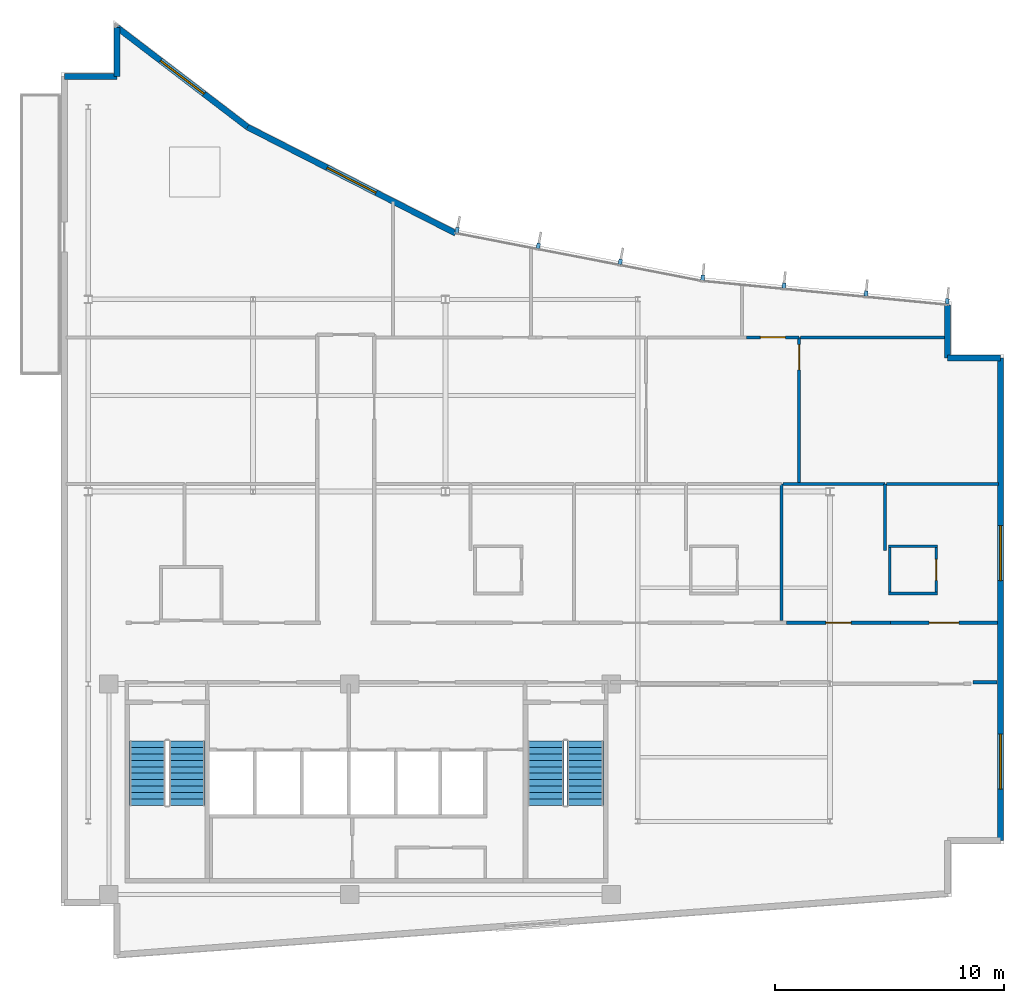
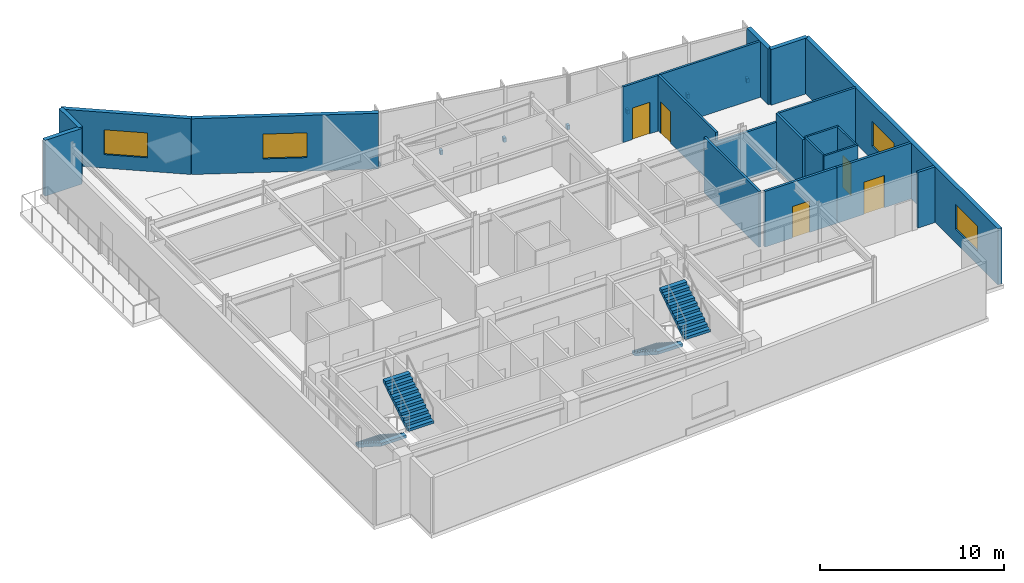
# One storey, part 12 of 15: 21 walls, 7 discrete accessories, 5 doors, 4 stair flights, 4 windows, 9 openings, 2 elements without a shape of their own.
"""IFC4 building model written with IfcOpenShell, lengths in metres."""

from ifc_helpers import new_model, si_unit, direction, frame, frame_2d, origin, origin_2d, place, context, subcontext, project, spatial, polyline, rectangle, outline, extrude, material, layer, layer_set, type_object, element, fill, aggregate, save


model = new_model("IFC4")

# Units and contexts
model_context = context("Model", 3, precision=1e-05, world=origin(), true_north=direction((0.0, 1.0)))
body_context = subcontext(model_context, "Body", "Model", "MODEL_VIEW")
ifc_project = project(units=[si_unit("LENGTHUNIT", "METRE"), si_unit("AREAUNIT", "SQUARE_METRE"), si_unit("VOLUMEUNIT", "CUBIC_METRE"), si_unit("PLANEANGLEUNIT", "RADIAN"), si_unit("MASSUNIT", "GRAM", prefix="KILO")], contexts=[model_context])

# Site, building, storey
site_placement = place(None, origin())
site = spatial("IfcSite", under=ifc_project, at=site_placement, CompositionType="ELEMENT")
building_placement = place(site_placement, origin())
building = spatial("IfcBuilding", under=site, at=building_placement, Name="Varnakote Quay Hospital", CompositionType="ELEMENT")
storey_placement = place(building_placement, frame((0.0, 0.0, 284.199951171875)))
storey = spatial("IfcBuildingStorey", under=building, at=storey_placement, Name="L70", CompositionType="ELEMENT", Elevation=284.199951171875)

# Walls
ifc_material_1 = material(Name="Fire-rated acoustic gypsum stud wall", Category="gypsum")
ifc_layer_1 = layer(ifc_material_1, 0.159912109375)
ifc_layer_set_1 = layer_set([ifc_layer_1], Name="Fire-rated acoustic gypsum stud wall")
wall_type_1 = type_object("IfcWallType", Name="WL-COMP-160", PredefinedType="PARTITIONING", material=ifc_layer_set_1)
wall_1_placement = place(storey_placement, frame((39.83935546875, 12.080078125, 0.0), z_axis=(0.0, 0.0, 1.0), x_axis=(1.0, 0.0, 0.0)))
element("IfcWall", 1, at=wall_1_placement, inside=storey, type_object=wall_type_1, Name="L70 Corridor South Gap Wall", PredefinedType="PARTITIONING", context=body_context, shape_type="SweptSolid", body=[
    extrude(rectangle(XDim=1.060546875, YDim=0.159912109375, at=frame_2d((0.5302734375, 0.0))), origin(), (0.0, 0.0, 1.0), 3.7099609375),
])
ifc_material_2 = material(Name="Moisture-resistant bathroom partition", Category="gypsum")
ifc_layer_2 = layer(ifc_material_2, 0.114990234375)
ifc_layer_set_2 = layer_set([ifc_layer_2], Name="Moisture-resistant bathroom partition")
wall_type_2 = type_object("IfcWallType", Name="WL-ENS-115", PredefinedType="PARTITIONING", material=ifc_layer_set_2)
for number, where, z_axis, x_axis, name in (
    (2, (36.155029296875, 15.952392578125, 0.0), (0.0, 0.0, 1.0), (1.0, 0.0, 0.0), "L70 Inpatient En-Suite Bathroom 03 S Wall"),
    (3, (36.155029296875, 18.017578125, 0.0), (0.0, 0.0, 1.0), (1.0, 0.0, 0.0), "L70 Inpatient En-Suite Bathroom 03 N Wall"),
):
    element("IfcWall", number, at=place(storey_placement, frame(where, z_axis=z_axis, x_axis=x_axis)), inside=storey, type_object=wall_type_2, Name=name, PredefinedType="PARTITIONING", context=body_context, shape_type="SweptSolid", body=[
        extrude(rectangle(XDim=2.14990234375, YDim=0.114990234375, at=frame_2d((1.074951171875, 0.0))), origin(), (0.0, 0.0, 1.0), 3.7099609375),
    ])
wall_2_placement = place(storey_placement, frame((36.21240234375, 16.010009765625, 0.0), z_axis=(0.0, 0.0, 1.0), x_axis=(0.0, 1.0, 0.0)))
element("IfcWall", 4, at=wall_2_placement, inside=storey, type_object=wall_type_2, Name="L70 Inpatient En-Suite Bathroom 03 W Wall", PredefinedType="PARTITIONING", context=body_context, shape_type="SweptSolid", body=[
    extrude(rectangle(XDim=1.949951171875, YDim=0.114990234375, at=frame_2d((0.97509765625, 0.0))), origin(), (0.0, 0.0, 1.0), 3.7099609375),
])

# Wall, opening, door
wall_3_placement = place(storey_placement, frame((38.24755859375, 16.010009765625, 0.0), z_axis=(0.0, 0.0, 1.0), x_axis=(0.0, 1.0, 0.0)))
wall_3 = element("IfcWall", 5, at=wall_3_placement, inside=storey, type_object=wall_type_2, Name="L70 Inpatient En-Suite Bathroom 03 E Wall", PredefinedType="PARTITIONING", context=body_context, shape_type="SweptSolid", body=[
    extrude(rectangle(XDim=1.949951171875, YDim=0.114990234375, at=frame_2d((0.97509765625, 0.0))), origin(), (0.0, 0.0, 1.0), 3.7099609375),
])
opening_1_placement = place(wall_3_placement, frame((0.514892578125, 0.0, 0.0)))
opening_1 = element("IfcOpeningElement", 6, at=opening_1_placement, cuts=wall_3, Name="Opening D-L70-ENS03", PredefinedType="OPENING", context=body_context, shape_type="SweptSolid", body=[
    extrude(rectangle(XDim=0.919921875, YDim=2.10009765625, at=frame_2d((0.4599609375, 1.050048828125))), frame((0.0, 0.0673828125, 0.0), z_axis=(0.0, -1.0, 0.0), x_axis=(1.0, 0.0, 0.0)), (0.0, 0.0, 1.0), 0.135009765625),
])
ifc_material_3 = material(Name="Moisture-sealed en-suite bathroom door")
door_type_1 = type_object("IfcDoorType", Name="DR-ENS-920x2100", OperationType="NOTDEFINED", PredefinedType="DOOR", material=ifc_material_3)
door_1_placement = place(opening_1_placement, origin())
door_1 = element("IfcDoor", 7, at=door_1_placement, inside=storey, type_object=door_type_1, Name="L70 Inpatient En-Suite Bathroom 03 Door", OperationType="SINGLE_SWING_LEFT", OverallHeight=2.10009765625, OverallWidth=0.919921875, PredefinedType="DOOR", context=body_context, shape_type="SweptSolid", body=[
    extrude(rectangle(XDim=0.919921875, YDim=2.10009765625, at=frame_2d((0.4599609375, 1.050048828125))), frame((0.0, 0.02490234375, 0.0), z_axis=(0.0, -1.0, 0.0), x_axis=(1.0, 0.0, 0.0)), (0.0, 0.0, 1.0), 0.050048828125),
])
fill(opening_1, door_1)

# Wall, openings, windows
ifc_material_4 = material(Name="Precast concrete N50 (f'c 50 MPa)", Category="concrete")
ifc_layer_3 = layer(ifc_material_4, 0.260009765625)
ifc_layer_set_3 = layer_set([ifc_layer_3], Name="Precast concrete N50 (f'c 50 MPa)")
wall_type_3 = type_object("IfcWallType", Name="WL-EXT-BRICK-260", PredefinedType="STANDARD", material=ifc_layer_set_3)
wall_4_placement = place(storey_placement, frame((41.0400390625, 5.159912109375, 0.0), z_axis=(0.0, 0.0, 1.0), x_axis=(0.0, 1.0, 0.0)))
wall_4 = element("IfcWall", 8, at=wall_4_placement, inside=storey, type_object=wall_type_3, Name="L70 Brick-Faced Precast Exterior Wall", PredefinedType="STANDARD", context=body_context, shape_type="SweptSolid", body=[
    extrude(rectangle(XDim=21.080078125, YDim=0.260009765625, at=frame_2d((10.5400390625, 0.0))), origin(), (0.0, 0.0, 1.0), 3.7099609375),
])
opening_2_placement = place(wall_4_placement, frame((2.25, 0.0, 0.89990234375)))
opening_2 = element("IfcOpeningElement", 9, at=opening_2_placement, cuts=wall_4, Name="Opening WN-0283", PredefinedType="OPENING", context=body_context, shape_type="SweptSolid", body=[
    extrude(rectangle(XDim=2.39990234375, YDim=1.64990234375, at=frame_2d((1.199951171875, 0.824951171875))), frame((0.0, 0.139892578125, 0.0), z_axis=(0.0, -1.0, 0.0), x_axis=(1.0, 0.0, 0.0)), (0.0, 0.0, 1.0), 0.280029296875),
])
opening_3_placement = place(wall_4_placement, frame((11.35009765625, 0.0, 0.89990234375)))
opening_3 = element("IfcOpeningElement", 10, at=opening_3_placement, cuts=wall_4, Name="Opening WN-0314", PredefinedType="OPENING", context=body_context, shape_type="SweptSolid", body=[
    extrude(rectangle(XDim=2.39990234375, YDim=1.64990234375, at=frame_2d((1.199951171875, 0.824951171875))), frame((0.0, 0.139892578125, 0.0), z_axis=(0.0, -1.0, 0.0), x_axis=(1.0, 0.0, 0.0)), (0.0, 0.0, 1.0), 0.280029296875),
])
ifc_material_5 = material(Name="Double-glazed low-E solar glass", Category="glass")
window_type = type_object("IfcWindowType", Name="WIN-CLIN-2400x1650", PartitioningType="SINGLE_PANEL", PredefinedType="WINDOW", material=ifc_material_5)
window_1_placement = place(opening_2_placement, origin())
window_1 = element("IfcWindow", 11, at=window_1_placement, inside=storey, type_object=window_type, Name="L70 Solar-Control Clinical Window", OverallHeight=1.64990234375, OverallWidth=2.39990234375, PartitioningType="SINGLE_PANEL", PredefinedType="WINDOW", context=body_context, shape_type="SweptSolid", body=[
    extrude(rectangle(XDim=2.39990234375, YDim=1.64990234375, at=frame_2d((1.199951171875, 0.824951171875))), frame((0.0, 0.030029296875, 0.0), z_axis=(0.0, -1.0, 0.0), x_axis=(1.0, 0.0, 0.0)), (0.0, 0.0, 1.0), 0.06005859375),
])
fill(opening_2, window_1)
window_2_placement = place(opening_3_placement, origin())
window_2 = element("IfcWindow", 12, at=window_2_placement, inside=storey, type_object=window_type, Name="L70 Solar-Control Clinical Window", OverallHeight=1.64990234375, OverallWidth=2.39990234375, PartitioningType="SINGLE_PANEL", PredefinedType="WINDOW", context=body_context, shape_type="SweptSolid", body=[
    extrude(rectangle(XDim=2.39990234375, YDim=1.64990234375, at=frame_2d((1.199951171875, 0.824951171875))), frame((0.0, 0.030029296875, 0.0), z_axis=(0.0, -1.0, 0.0), x_axis=(1.0, 0.0, 0.0)), (0.0, 0.0, 1.0), 0.06005859375),
])
fill(opening_3, window_2)

# Walls
wall_5_placement = place(storey_placement, frame((41.0400390625, 26.239990234375, 0.0), z_axis=(0.0, 0.0, 1.0), x_axis=(-1.0, 0.0, 0.0)))
element("IfcWall", 13, at=wall_5_placement, inside=storey, type_object=wall_type_3, Name="L70 Brick-Faced Precast Exterior Wall", PredefinedType="STANDARD", context=body_context, shape_type="SweptSolid", body=[
    extrude(rectangle(XDim=2.300048828125, YDim=0.260009765625, at=frame_2d((1.14990234375, 0.0))), origin(), (0.0, 0.0, 1.0), 3.7099609375),
])
wall_6_placement = place(storey_placement, frame((38.739990234375, 26.239990234375, 0.0), z_axis=(0.0, 0.0, 1.0), x_axis=(0.0, 1.0, 0.0)))
element("IfcWall", 14, at=wall_6_placement, inside=storey, type_object=wall_type_3, Name="L70 Brick-Faced Precast Exterior Wall", PredefinedType="STANDARD", context=body_context, shape_type="SweptSolid", body=[
    extrude(rectangle(XDim=2.314697265625, YDim=0.260009765625, at=frame_2d((1.1572265625, 0.0))), origin(), (0.0, 0.0, 1.0), 3.7099609375),
])

# Wall, opening, window
wall_7_placement = place(storey_placement, frame((17.25146484375, 31.68115234375, 0.0), z_axis=(0.0, 0.0, 1.0), x_axis=(-0.89069629535, 0.454598844532, 0.0)))
wall_7 = element("IfcWall", 15, at=wall_7_placement, inside=storey, type_object=wall_type_3, Name="L70 Brick-Faced Precast Exterior Wall", PredefinedType="STANDARD", context=body_context, shape_type="SweptSolid", body=[
    extrude(rectangle(XDim=10.213623046875, YDim=0.260009765625, at=frame_2d((5.10693359375, 0.0))), origin(), (0.0, 0.0, 1.0), 3.7099609375),
])
opening_4_placement = place(wall_7_placement, frame((3.90673828125, 0.0, 0.89990234375)))
opening_4 = element("IfcOpeningElement", 16, at=opening_4_placement, cuts=wall_7, Name="Opening WN-0284", PredefinedType="OPENING", context=body_context, shape_type="SweptSolid", body=[
    extrude(rectangle(XDim=2.39990234375, YDim=1.64990234375, at=frame_2d((1.199951171875, 0.824951171875))), frame((0.0, 0.139892578125, 0.0), z_axis=(0.0, -1.0, 0.0), x_axis=(1.0, 0.0, 0.0)), (0.0, 0.0, 1.0), 0.280029296875),
])
window_3_placement = place(opening_4_placement, origin())
window_3 = element("IfcWindow", 17, at=window_3_placement, inside=storey, type_object=window_type, Name="L70 Solar-Control Clinical Window", OverallHeight=1.64990234375, OverallWidth=2.39990234375, PartitioningType="SINGLE_PANEL", PredefinedType="WINDOW", context=body_context, shape_type="SweptSolid", body=[
    extrude(rectangle(XDim=2.39990234375, YDim=1.64990234375, at=frame_2d((1.199951171875, 0.824951171875))), frame((0.0, 0.030029296875, 0.0), z_axis=(0.0, -1.0, 0.0), x_axis=(1.0, 0.0, 0.0)), (0.0, 0.0, 1.0), 0.06005859375),
])
fill(opening_4, window_3)

wall_8_placement = place(storey_placement, frame((8.154296875, 36.32421875, 0.0), z_axis=(0.0, 0.0, 1.0), x_axis=(-0.794522176632, 0.607235136368, 0.0)))
wall_8 = element("IfcWall", 18, at=wall_8_placement, inside=storey, type_object=wall_type_3, Name="L70 Brick-Faced Precast Exterior Wall", PredefinedType="STANDARD", context=body_context, shape_type="SweptSolid", body=[
    extrude(rectangle(XDim=7.1669921875, YDim=0.260009765625, at=frame_2d((3.58349609375, 0.0))), origin(), (0.0, 0.0, 1.0), 3.7099609375),
])
opening_5_placement = place(wall_8_placement, frame((2.383544921875, 0.0, 0.89990234375)))
opening_5 = element("IfcOpeningElement", 19, at=opening_5_placement, cuts=wall_8, Name="Opening WN-0285", PredefinedType="OPENING", context=body_context, shape_type="SweptSolid", body=[
    extrude(rectangle(XDim=2.39990234375, YDim=1.64990234375, at=frame_2d((1.199951171875, 0.824951171875))), frame((0.0, 0.139892578125, 0.0), z_axis=(0.0, -1.0, 0.0), x_axis=(1.0, 0.0, 0.0)), (0.0, 0.0, 1.0), 0.280029296875),
])
window_4_placement = place(opening_5_placement, origin())
window_4 = element("IfcWindow", 20, at=window_4_placement, inside=storey, type_object=window_type, Name="L70 Solar-Control Clinical Window", OverallHeight=1.64990234375, OverallWidth=2.39990234375, PartitioningType="SINGLE_PANEL", PredefinedType="WINDOW", context=body_context, shape_type="SweptSolid", body=[
    extrude(rectangle(XDim=2.39990234375, YDim=1.64990234375, at=frame_2d((1.199951171875, 0.824951171875))), frame((0.0, 0.030029296875, 0.0), z_axis=(0.0, -1.0, 0.0), x_axis=(1.0, 0.0, 0.0)), (0.0, 0.0, 1.0), 0.06005859375),
])
fill(opening_5, window_4)

# Walls
wall_9_placement = place(storey_placement, frame((2.4599609375, 40.67626953125, 0.0), z_axis=(0.0, 0.0, 1.0), x_axis=(0.0, -1.0, 0.0)))
element("IfcWall", 21, at=wall_9_placement, inside=storey, type_object=wall_type_3, Name="L70 Brick-Faced Precast Exterior Wall", PredefinedType="STANDARD", context=body_context, shape_type="SweptSolid", body=[
    extrude(rectangle(XDim=2.13623046875, YDim=0.260009765625, at=frame_2d((1.068115234375, 0.0))), origin(), (0.0, 0.0, 1.0), 3.7099609375),
])
wall_10_placement = place(storey_placement, frame((2.4599609375, 38.5400390625, 0.0), z_axis=(0.0, 0.0, 1.0), x_axis=(-1.0, 0.0, 0.0)))
element("IfcWall", 22, at=wall_10_placement, inside=storey, type_object=wall_type_3, Name="L70 Brick-Faced Precast Exterior Wall", PredefinedType="STANDARD", context=body_context, shape_type="SweptSolid", body=[
    extrude(rectangle(XDim=2.300048828125, YDim=0.260009765625, at=frame_2d((1.14990234375, 0.0))), origin(), (0.0, 0.0, 1.0), 3.7099609375),
])
ifc_material_6 = material(Name="Smoke-proof clinical partition", Category="gypsum")
ifc_layer_4 = layer(ifc_material_6, 0.135009765625)
ifc_layer_set_4 = layer_set([ifc_layer_4], Name="Smoke-proof clinical partition")
wall_type_4 = type_object("IfcWallType", Name="WL-SMOKE-135", PredefinedType="PARTITIONING", material=ifc_layer_set_4)
wall_11_placement = place(storey_placement, frame((31.47998046875, 14.760009765625, 0.0), z_axis=(0.0, 0.0, 1.0), x_axis=(0.0, 1.0, 0.0)))
element("IfcWall", 23, at=wall_11_placement, inside=storey, type_object=wall_type_4, Name="L70 Clinical Interior Partition", PredefinedType="PARTITIONING", context=body_context, shape_type="SweptSolid", body=[
    extrude(rectangle(XDim=5.97998046875, YDim=0.135009765625, at=frame_2d((2.989990234375, 0.0))), origin(), (0.0, 0.0, 1.0), 3.7099609375),
])
wall_12_placement = place(storey_placement, frame((36.010009765625, 17.83251953125, 0.0), z_axis=(0.0, 0.0, 1.0), x_axis=(0.0, 1.0, 0.0)))
element("IfcWall", 24, at=wall_12_placement, inside=storey, type_object=wall_type_4, Name="L70 Clinical Interior Partition", PredefinedType="PARTITIONING", context=body_context, shape_type="SweptSolid", body=[
    extrude(rectangle(XDim=2.907470703125, YDim=0.135009765625, at=frame_2d((1.45361328125, 0.0))), origin(), (0.0, 0.0, 1.0), 3.7099609375),
])
wall_13_placement = place(storey_placement, frame((36.010009765625, 20.739990234375, 0.0), z_axis=(0.0, 0.0, 1.0), x_axis=(-1.0, 0.0, 0.0)))
element("IfcWall", 25, at=wall_13_placement, inside=storey, type_object=wall_type_4, Name="L70 Clinical Interior Partition", PredefinedType="PARTITIONING", context=body_context, shape_type="SweptSolid", body=[
    extrude(rectangle(XDim=4.472412109375, YDim=0.135009765625, at=frame_2d((2.236328125, 0.0))), origin(), (0.0, 0.0, 1.0), 3.156982421875),
])
wall_14_placement = place(storey_placement, frame((40.9599609375, 20.739990234375, 0.0), z_axis=(0.0, 0.0, 1.0), x_axis=(-1.0, 0.0, 0.0)))
element("IfcWall", 26, at=wall_14_placement, inside=storey, type_object=wall_type_4, Name="L70 Clinical Interior Partition", PredefinedType="PARTITIONING", context=body_context, shape_type="SweptSolid", body=[
    extrude(rectangle(XDim=4.892578125, YDim=0.135009765625, at=frame_2d((2.4462890625, 0.0))), origin(), (0.0, 0.0, 1.0), 3.7099609375),
])

# Wall, opening, door
wall_15_placement = place(storey_placement, frame((32.25, 20.797607421875, 0.0), z_axis=(0.0, 0.0, 1.0), x_axis=(0.0, 1.0, 0.0)))
wall_15 = element("IfcWall", 27, at=wall_15_placement, inside=storey, type_object=wall_type_4, Name="L70 Clinical Interior Partition", PredefinedType="PARTITIONING", context=body_context, shape_type="SweptSolid", body=[
    extrude(rectangle(XDim=6.34228515625, YDim=0.135009765625, at=frame_2d((3.171142578125, 0.0))), origin(), (0.0, 0.0, 1.0), 3.7099609375),
])
opening_6_placement = place(wall_15_placement, frame((4.92138671875, 0.0, 0.0)))
opening_6 = element("IfcOpeningElement", 28, at=opening_6_placement, cuts=wall_15, Name="Opening D-L70-MD08", PredefinedType="OPENING", context=body_context, shape_type="SweptSolid", body=[
    extrude(rectangle(XDim=1.10009765625, YDim=2.10009765625, at=frame_2d((0.550048828125, 1.050048828125))), frame((0.0, 0.077392578125, 0.0), z_axis=(0.0, -1.0, 0.0), x_axis=(1.0, 0.0, 0.0)), (0.0, 0.0, 1.0), 0.155029296875),
])
ifc_material_7 = material(Name="Acoustic timber clinical consult door", Category="wood")
door_type_2 = type_object("IfcDoorType", Name="DR-CLIN-FD30S-1100x2100", OperationType="NOTDEFINED", PredefinedType="DOOR", material=ifc_material_7)
door_2_placement = place(opening_6_placement, origin())
door_2 = element("IfcDoor", 29, at=door_2_placement, inside=storey, type_object=door_type_2, Name="L70 Rehab Specialist Office Door", OperationType="SINGLE_SWING_RIGHT", OverallHeight=2.10009765625, OverallWidth=1.10009765625, PredefinedType="DOOR", context=body_context, shape_type="SweptSolid", body=[
    extrude(rectangle(XDim=1.10009765625, YDim=2.10009765625, at=frame_2d((0.550048828125, 1.050048828125))), frame((0.0, 0.02490234375, 0.0), z_axis=(0.0, -1.0, 0.0), x_axis=(1.0, 0.0, 0.0)), (0.0, 0.0, 1.0), 0.050048828125),
])
fill(opening_6, door_2)

wall_16_placement = place(storey_placement, frame((32.25, 27.139892578125, 0.0), z_axis=(0.0, 0.0, 1.0), x_axis=(-1.0, 0.0, 0.0)))
wall_16 = element("IfcWall", 30, at=wall_16_placement, inside=storey, type_object=wall_type_4, Name="L70 Clinical Interior Partition", PredefinedType="PARTITIONING", context=body_context, shape_type="SweptSolid", body=[
    extrude(rectangle(XDim=2.29052734375, YDim=0.135009765625, at=frame_2d((1.145263671875, 0.0))), origin(), (0.0, 0.0, 1.0), 3.7099609375),
])
opening_7_placement = place(wall_16_placement, frame((0.59521484375, 0.0, 0.0)))
opening_7 = element("IfcOpeningElement", 31, at=opening_7_placement, cuts=wall_16, Name="Opening D-L70-MD12", PredefinedType="OPENING", context=body_context, shape_type="SweptSolid", body=[
    extrude(rectangle(XDim=1.10009765625, YDim=2.10009765625, at=frame_2d((0.550048828125, 1.050048828125))), frame((0.0, 0.077392578125, 0.0), z_axis=(0.0, -1.0, 0.0), x_axis=(1.0, 0.0, 0.0)), (0.0, 0.0, 1.0), 0.155029296875),
])
door_3_placement = place(opening_7_placement, origin())
door_3 = element("IfcDoor", 32, at=door_3_placement, inside=storey, type_object=door_type_2, Name="L70 Rehab Specialist Office Door", OperationType="SINGLE_SWING_LEFT", OverallHeight=2.10009765625, OverallWidth=1.10009765625, PredefinedType="DOOR", context=body_context, shape_type="SweptSolid", body=[
    extrude(rectangle(XDim=1.10009765625, YDim=2.10009765625, at=frame_2d((0.550048828125, 1.050048828125))), frame((0.0, 0.02490234375, 0.0), z_axis=(0.0, -1.0, 0.0), x_axis=(1.0, 0.0, 0.0)), (0.0, 0.0, 1.0), 0.050048828125),
])
fill(opening_7, door_3)

# Wall
wall_17_placement = place(storey_placement, frame((38.739990234375, 27.139892578125, 0.0), z_axis=(0.0, 0.0, 1.0), x_axis=(-1.0, 0.0, 0.0)))
element("IfcWall", 33, at=wall_17_placement, inside=storey, type_object=wall_type_4, Name="L70 Clinical Interior Partition", PredefinedType="PARTITIONING", context=body_context, shape_type="SweptSolid", body=[
    extrude(rectangle(XDim=6.432373046875, YDim=0.135009765625, at=frame_2d((3.21630859375, 0.0))), origin(), (0.0, 0.0, 1.0), 3.7099609375),
])

# Wall, opening, door
ifc_material_8 = material(Name="Fire-rated clinical gypsum partition", Category="gypsum")
ifc_layer_5 = layer(ifc_material_8, 0.14990234375)
ifc_layer_set_5 = layer_set([ifc_layer_5], Name="Fire-rated clinical gypsum partition")
wall_type_5 = type_object("IfcWallType", Name="WL-WARD-150", PredefinedType="PARTITIONING", material=ifc_layer_set_5)
wall_18_placement = place(storey_placement, frame((36.236083984375, 14.679931640625, 0.0), z_axis=(0.0, 0.0, 1.0), x_axis=(-1.0, 0.0, 0.0)))
wall_18 = element("IfcWall", 34, at=wall_18_placement, inside=storey, type_object=wall_type_5, Name="L70 Clinical Interior Partition", PredefinedType="PARTITIONING", context=body_context, shape_type="SweptSolid", body=[
    extrude(rectangle(XDim=4.528076171875, YDim=0.14990234375, at=frame_2d((2.26416015625, 0.0))), origin(), (0.0, 0.0, 1.0), 3.7099609375),
])
opening_8_placement = place(wall_18_placement, frame((1.714111328125, 0.0, 0.0)))
opening_8 = element("IfcOpeningElement", 35, at=opening_8_placement, cuts=wall_18, Name="Opening D-L70-MD05", PredefinedType="OPENING", context=body_context, shape_type="SweptSolid", body=[
    extrude(rectangle(XDim=1.10009765625, YDim=2.10009765625, at=frame_2d((0.550048828125, 1.050048828125))), frame((0.0, 0.0849609375, 0.0), z_axis=(0.0, -1.0, 0.0), x_axis=(1.0, 0.0, 0.0)), (0.0, 0.0, 1.0), 0.169921875),
])
door_4_placement = place(opening_8_placement, origin())
door_4 = element("IfcDoor", 36, at=door_4_placement, inside=storey, type_object=door_type_2, Name="L70 Restorative Hydro-Rehab Treatment Suite Door", OperationType="SINGLE_SWING_RIGHT", OverallHeight=2.10009765625, OverallWidth=1.10009765625, PredefinedType="DOOR", context=body_context, shape_type="SweptSolid", body=[
    extrude(rectangle(XDim=1.10009765625, YDim=2.10009765625, at=frame_2d((0.550048828125, 1.050048828125))), frame((0.0, 0.02490234375, 0.0), z_axis=(0.0, -1.0, 0.0), x_axis=(1.0, 0.0, 0.0)), (0.0, 0.0, 1.0), 0.050048828125),
])
fill(opening_8, door_4)

wall_19_placement = place(storey_placement, frame((40.919921875, 14.679931640625, 0.0), z_axis=(0.0, 0.0, 1.0), x_axis=(-1.0, 0.0, 0.0)))
wall_19 = element("IfcWall", 37, at=wall_19_placement, inside=storey, type_object=wall_type_5, Name="L70 Clinical Interior Partition", PredefinedType="PARTITIONING", context=body_context, shape_type="SweptSolid", body=[
    extrude(rectangle(XDim=4.681884765625, YDim=0.14990234375, at=frame_2d((2.3408203125, 0.0))), origin(), (0.0, 0.0, 1.0), 3.7099609375),
])
opening_9_placement = place(wall_19_placement, frame((1.69091796875, 0.0, 0.0)))
opening_9 = element("IfcOpeningElement", 38, at=opening_9_placement, cuts=wall_19, Name="Opening D-L70-BR03", PredefinedType="OPENING", context=body_context, shape_type="SweptSolid", body=[
    extrude(rectangle(XDim=1.300048828125, YDim=2.14990234375, at=frame_2d((0.64990234375, 1.074951171875))), frame((0.0, 0.0849609375, 0.0), z_axis=(0.0, -1.0, 0.0), x_axis=(1.0, 0.0, 0.0)), (0.0, 0.0, 1.0), 0.169921875),
])
ifc_material_9 = material(Name="Solid-core timber clinical bed door", Category="wood")
door_type_3 = type_object("IfcDoorType", Name="DR-WARD-FD30S-1300x2150", OperationType="NOTDEFINED", PredefinedType="DOOR", material=ifc_material_9)
door_5_placement = place(opening_9_placement, origin())
door_5 = element("IfcDoor", 39, at=door_5_placement, inside=storey, type_object=door_type_3, Name="L70 Resident Care Bedroom 03 Door", OperationType="SINGLE_SWING_LEFT", OverallHeight=2.14990234375, OverallWidth=1.300048828125, PredefinedType="DOOR", context=body_context, shape_type="SweptSolid", body=[
    extrude(rectangle(XDim=1.300048828125, YDim=2.14990234375, at=frame_2d((0.64990234375, 1.074951171875))), frame((0.0, 0.02490234375, 0.0), z_axis=(0.0, -1.0, 0.0), x_axis=(1.0, 0.0, 0.0)), (0.0, 0.0, 1.0), 0.050048828125),
])
fill(opening_9, door_5)

# Stair, stair flights
ifc_material_10 = material(Name="Concrete N40 (f'c 40 MPa)", Category="concrete")
stair_type = type_object("IfcStairType", Name="STR-CORE-1580", PredefinedType="HALF_TURN_STAIR", material=ifc_material_10)
stair_1_placement = place(storey_placement, origin())
stair_1 = element("IfcStair", 40, at=stair_1_placement, inside=storey, type_object=stair_type, Name="L70 Fire-Isolated Exit Stair ST-01", PredefinedType="HALF_TURN_STAIR")
ifc_material_11 = material(Name="Concrete N40 (f'c 40 MPa)", Category="concrete")
ifc_layer_6 = layer(ifc_material_11, 0.159912109375)
ifc_layer_set_6 = layer_set([ifc_layer_6], Name="Concrete N40 (f'c 40 MPa)")
stair_flight_type = type_object("IfcStairFlightType", Name="FLT-CORE-1580", PredefinedType="STRAIGHT", material=ifc_layer_set_6)
stair_flight_1_placement = place(storey_placement, frame((3.7900390625, 9.5, 0.0), z_axis=(0.0, 0.0, 1.0), x_axis=(0.0, -1.0, 0.0)))
stair_flight_1 = element("IfcStairFlight", 41, at=stair_flight_1_placement, type_object=stair_flight_type, Name="ST-01 flight 1", NumberOfRisers=11, NumberOfTreads=10, PredefinedType="STRAIGHT", RiserHeight=0.179545455, TreadLength=0.28, context=body_context, shape_type="SweptSolid", body=[
    extrude(outline(polyline([(0.0, 0.0), (0.0, 0.179443359375), (0.280029296875, 0.179443359375), (0.280029296875, 0.359130859375), (0.56005859375, 0.359130859375), (0.56005859375, 0.53857421875), (0.840087890625, 0.53857421875), (0.840087890625, 0.71826171875), (1.1201171875, 0.71826171875), (1.1201171875, 0.897705078125), (1.39990234375, 0.897705078125), (1.39990234375, 1.077392578125), (1.679931640625, 1.077392578125), (1.679931640625, 1.2568359375), (1.9599609375, 1.2568359375), (1.9599609375, 1.436279296875), (2.239990234375, 1.436279296875), (2.239990234375, 1.615966796875), (2.52001953125, 1.615966796875), (2.52001953125, 1.79541015625), (2.800048828125, 1.79541015625), (2.800048828125, 1.97509765625), (2.800048828125, 1.60546875), (0.296142578125, 0.0), (0.0, 0.0)])), frame((0.0, 0.7900390625, 0.0), z_axis=(0.0, -1.0, 0.0), x_axis=(1.0, 0.0, 0.0)), (0.0, 0.0, 1.0), 1.580078125),
])
stair_flight_2_placement = place(storey_placement, frame((5.510009765625, 6.699951171875, 1.97509765625), z_axis=(0.0, 0.0, 1.0), x_axis=(0.0, 1.0, 0.0)))
stair_flight_2 = element("IfcStairFlight", 42, at=stair_flight_2_placement, type_object=stair_flight_type, Name="ST-01 flight 2", NumberOfRisers=11, NumberOfTreads=10, PredefinedType="STRAIGHT", RiserHeight=0.179545455, TreadLength=0.28, context=body_context, shape_type="SweptSolid", body=[
    extrude(outline(polyline([(0.0, 0.0), (0.0, 0.179443359375), (0.280029296875, 0.179443359375), (0.280029296875, 0.359130859375), (0.56005859375, 0.359130859375), (0.56005859375, 0.53857421875), (0.840087890625, 0.53857421875), (0.840087890625, 0.71826171875), (1.1201171875, 0.71826171875), (1.1201171875, 0.897705078125), (1.39990234375, 0.897705078125), (1.39990234375, 1.077392578125), (1.679931640625, 1.077392578125), (1.679931640625, 1.2568359375), (1.9599609375, 1.2568359375), (1.9599609375, 1.436279296875), (2.239990234375, 1.436279296875), (2.239990234375, 1.615966796875), (2.52001953125, 1.615966796875), (2.52001953125, 1.79541015625), (2.800048828125, 1.79541015625), (2.800048828125, 1.97509765625), (2.800048828125, 1.60546875), (0.296142578125, 0.0), (0.0, 0.0)])), frame((0.0, 0.7900390625, 0.0), z_axis=(0.0, -1.0, 0.0), x_axis=(1.0, 0.0, 0.0)), (0.0, 0.0, 1.0), 1.580078125),
])
aggregate(stair_1, [stair_flight_1, stair_flight_2])

stair_2_placement = place(storey_placement, origin())
stair_2 = element("IfcStair", 43, at=stair_2_placement, inside=storey, type_object=stair_type, Name="L70 Fire-Isolated Exit Stair ST-02", PredefinedType="HALF_TURN_STAIR")
stair_flight_3_placement = place(storey_placement, frame((21.18994140625, 9.5, 0.0), z_axis=(0.0, 0.0, 1.0), x_axis=(0.0, -1.0, 0.0)))
stair_flight_3 = element("IfcStairFlight", 44, at=stair_flight_3_placement, type_object=stair_flight_type, Name="ST-02 flight 1", NumberOfRisers=11, NumberOfTreads=10, PredefinedType="STRAIGHT", RiserHeight=0.179545455, TreadLength=0.28, context=body_context, shape_type="SweptSolid", body=[
    extrude(outline(polyline([(0.0, 0.0), (0.0, 0.179443359375), (0.280029296875, 0.179443359375), (0.280029296875, 0.359130859375), (0.56005859375, 0.359130859375), (0.56005859375, 0.53857421875), (0.840087890625, 0.53857421875), (0.840087890625, 0.71826171875), (1.1201171875, 0.71826171875), (1.1201171875, 0.897705078125), (1.39990234375, 0.897705078125), (1.39990234375, 1.077392578125), (1.679931640625, 1.077392578125), (1.679931640625, 1.2568359375), (1.9599609375, 1.2568359375), (1.9599609375, 1.436279296875), (2.239990234375, 1.436279296875), (2.239990234375, 1.615966796875), (2.52001953125, 1.615966796875), (2.52001953125, 1.79541015625), (2.800048828125, 1.79541015625), (2.800048828125, 1.97509765625), (2.800048828125, 1.60546875), (0.296142578125, 0.0), (0.0, 0.0)])), frame((0.0, 0.7900390625, 0.0), z_axis=(0.0, -1.0, 0.0), x_axis=(1.0, 0.0, 0.0)), (0.0, 0.0, 1.0), 1.580078125),
])
stair_flight_4_placement = place(storey_placement, frame((22.909912109375, 6.699951171875, 1.97509765625), z_axis=(0.0, 0.0, 1.0), x_axis=(0.0, 1.0, 0.0)))
stair_flight_4 = element("IfcStairFlight", 45, at=stair_flight_4_placement, type_object=stair_flight_type, Name="ST-02 flight 2", NumberOfRisers=11, NumberOfTreads=10, PredefinedType="STRAIGHT", RiserHeight=0.179545455, TreadLength=0.28, context=body_context, shape_type="SweptSolid", body=[
    extrude(outline(polyline([(0.0, 0.0), (0.0, 0.179443359375), (0.280029296875, 0.179443359375), (0.280029296875, 0.359130859375), (0.56005859375, 0.359130859375), (0.56005859375, 0.53857421875), (0.840087890625, 0.53857421875), (0.840087890625, 0.71826171875), (1.1201171875, 0.71826171875), (1.1201171875, 0.897705078125), (1.39990234375, 0.897705078125), (1.39990234375, 1.077392578125), (1.679931640625, 1.077392578125), (1.679931640625, 1.2568359375), (1.9599609375, 1.2568359375), (1.9599609375, 1.436279296875), (2.239990234375, 1.436279296875), (2.239990234375, 1.615966796875), (2.52001953125, 1.615966796875), (2.52001953125, 1.79541015625), (2.800048828125, 1.79541015625), (2.800048828125, 1.97509765625), (2.800048828125, 1.60546875), (0.296142578125, 0.0), (0.0, 0.0)])), frame((0.0, 0.7900390625, 0.0), z_axis=(0.0, -1.0, 0.0), x_axis=(1.0, 0.0, 0.0)), (0.0, 0.0, 1.0), 1.580078125),
])
aggregate(stair_2, [stair_flight_3, stair_flight_4])

# Discrete accessories
ifc_material_12 = material(Name="Anodised aluminium 6063-T6 Bronze", Category="aluminium")
discrete_accessory_type = type_object("IfcDiscreteAccessoryType", Name="ACC-FIN-BRACKET-180", PredefinedType="BRACKET", material=ifc_material_12)
for number, where, z_axis, x_axis, name in (
    (46, (38.72216796875, 28.707275390625, 0.0), (0.0, 0.0, 1.0), (-0.995329042842, 0.096540646748, 0.0), "L70 Curtain Wall Fin Fixing Bracket"),
    (47, (35.172119140625, 29.0517578125, 0.0), (0.0, 0.0, 1.0), (-0.995329042842, 0.096540646748, 0.0), "L70 Curtain Wall Fin Fixing Bracket"),
    (48, (31.58984375, 29.399169921875, 0.0), (0.0, 0.0, 1.0), (-0.995329042842, 0.096540646748, 0.0), "L70 Curtain Wall Fin Fixing Bracket"),
    (49, (28.039794921875, 29.74365234375, 0.0), (0.0, 0.0, 1.0), (-0.995329042842, 0.096540646748, 0.0), "L70 Curtain Wall Fin Fixing Bracket"),
    (50, (24.44091796875, 30.439208984375, 0.0), (0.0, 0.0, 1.0), (-0.981693728546, 0.190466331231, 0.0), "L70 Curtain Wall Fin Fixing Bracket"),
    (51, (20.860595703125, 31.1337890625, 0.0), (0.0, 0.0, 1.0), (-0.981693728546, 0.190466331231, 0.0), "L70 Curtain Wall Fin Fixing Bracket"),
    (52, (17.31201171875, 31.822265625, 0.0), (0.0, 0.0, 1.0), (-0.981693728546, 0.190466331231, 0.0), "L70 Curtain Wall Fin Fixing Bracket"),
):
    element("IfcDiscreteAccessory", number, at=place(storey_placement, frame(where, z_axis=z_axis, x_axis=x_axis)), inside=storey, type_object=discrete_accessory_type, Name=name, PredefinedType="BRACKET", context=body_context, shape_type="SweptSolid", body=[
        extrude(rectangle(XDim=0.159912109375, YDim=0.239990234375, at=origin_2d()), origin(), (0.0, 0.0, 1.0), 0.280029296875),
    ])

save(model, "model.ifc")
